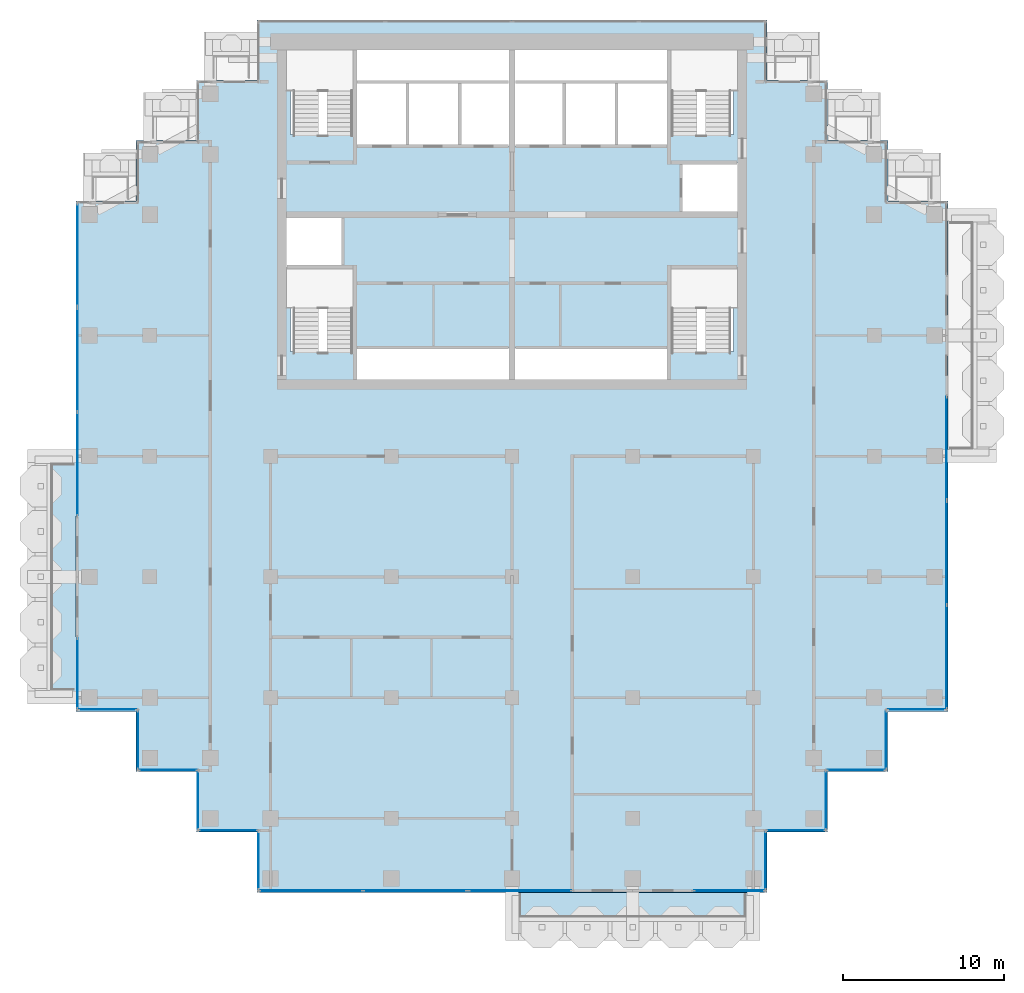
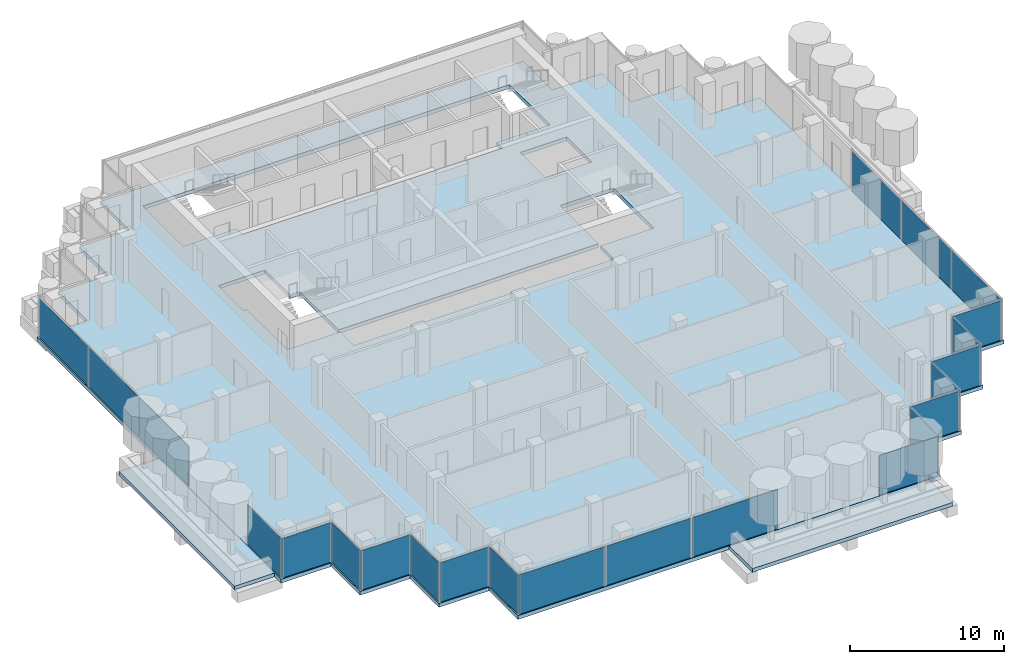
# One storey, part 8 of 18: 23 plates, 3 slabs, 20 elements without a shape of their own.
"""IFC4 building model written with IfcOpenShell, lengths in metres."""

from ifc_helpers import new_model, si_unit, direction, frame, origin, origin_2d, place, context, subcontext, project, spatial, polyline, rectangle, outline, extrude, material, layer, layer_set, type_object, element, aggregate, save


model = new_model("IFC4")

# Units and contexts
model_context = context("Model", 3, precision=1e-05, world=origin(), true_north=direction((0.0, 1.0)))
body_context = subcontext(model_context, "Body", "Model", "MODEL_VIEW")
ifc_project = project(units=[si_unit("LENGTHUNIT", "METRE"), si_unit("AREAUNIT", "SQUARE_METRE"), si_unit("VOLUMEUNIT", "CUBIC_METRE"), si_unit("PLANEANGLEUNIT", "RADIAN"), si_unit("MASSUNIT", "GRAM", prefix="KILO")], contexts=[model_context])

# Site, building, storey
site_placement = place(None, origin())
site = spatial("IfcSite", under=ifc_project, at=site_placement, CompositionType="ELEMENT")
building_placement = place(site_placement, origin())
building = spatial("IfcBuilding", under=site, at=building_placement, Name="Pilkhan Gate Tower", CompositionType="ELEMENT")
storey_placement = place(building_placement, frame((0.0, 0.0, 203.10009765625)))
storey = spatial("IfcBuildingStorey", under=building, at=storey_placement, Name="L52", CompositionType="ELEMENT", Elevation=203.10009765625)

# Slabs
ifc_material_1 = material(Name="Concrete C60/75", Category="concrete")
ifc_layer_1 = layer(ifc_material_1, 0.300048828125)
ifc_layer_set_1 = layer_set([ifc_layer_1], Name="Balcony tray slab TR300")
slab_type_1 = type_object("IfcSlabType", Name="Balcony tray slab TR300", PredefinedType="FLOOR", material=ifc_layer_set_1)
slab_1_placement = place(storey_placement, frame((0.0, 0.0, -0.300048828125)))
element("IfcSlab", 1, at=slab_1_placement, inside=storey, type_object=slab_type_1, Name="Balcony tray L52 S", PredefinedType="FLOOR", context=body_context, shape_type="SweptSolid", body=[
    extrude(outline(polyline([(90.0, 37.39990234375), (90.0, 40.39990234375), (75.0, 40.39990234375), (75.0, 37.39990234375), (90.0, 37.39990234375)])), origin(), (0.0, 0.0, 1.0), 0.300048828125),
])
slab_2_placement = place(storey_placement, frame((0.0, 0.0, -0.300048828125)))
element("IfcSlab", 2, at=slab_2_placement, inside=storey, type_object=slab_type_1, Name="Balcony tray L52 W", PredefinedType="FLOOR", context=body_context, shape_type="SweptSolid", body=[
    extrude(outline(polyline([(47.89990234375, 52.5), (47.89990234375, 67.5), (44.89990234375, 67.5), (44.89990234375, 52.5), (47.89990234375, 52.5)])), origin(), (0.0, 0.0, 1.0), 0.300048828125),
])
ifc_material_2 = material(Name="Concrete C40/50", Category="concrete")
ifc_layer_2 = layer(ifc_material_2, 0.300048828125)
ifc_layer_set_2 = layer_set([ifc_layer_2], Name="Flat plate slab FP300")
slab_type_2 = type_object("IfcSlabType", Name="Flat plate slab FP300", PredefinedType="FLOOR", material=ifc_layer_set_2)
slab_3_placement = place(storey_placement, frame((0.0, 0.0, -0.300048828125)))
element("IfcSlab", 3, at=slab_3_placement, inside=storey, type_object=slab_type_2, Name="Floor slab L52", PredefinedType="FLOOR", context=body_context, shape_type="SweptSolid", body=[
    extrude(outline(polyline([(98.35009765625, 47.89990234375), (94.60009765625, 47.89990234375), (94.60009765625, 44.14990234375), (90.85009765625, 44.14990234375), (90.85009765625, 40.39990234375), (59.14990234375, 40.39990234375), (59.14990234375, 44.14990234375), (55.39990234375, 44.14990234375), (55.39990234375, 47.89990234375), (51.64990234375, 47.89990234375), (51.64990234375, 51.64990234375), (47.89990234375, 51.64990234375), (47.89990234375, 83.35009765625), (51.64990234375, 83.35009765625), (51.64990234375, 87.10009765625), (55.39990234375, 87.10009765625), (55.39990234375, 90.85009765625), (59.14990234375, 90.85009765625), (59.14990234375, 94.60009765625), (90.85009765625, 94.60009765625), (90.85009765625, 90.85009765625), (94.60009765625, 90.85009765625), (94.60009765625, 87.10009765625), (98.35009765625, 87.10009765625), (98.35009765625, 83.35009765625), (102.10009765625, 83.35009765625), (102.10009765625, 51.64990234375), (98.35009765625, 51.64990234375), (98.35009765625, 47.89990234375)]), holes=[polyline([(75.0, 72.25), (84.75, 72.25), (84.75, 74.0), (88.75, 74.0), (88.75, 79.25), (84.75, 79.25), (84.75, 74.25), (75.0, 74.25), (65.25, 74.25), (65.25, 79.25), (64.5, 79.25), (64.5, 82.5), (61.25, 82.5), (61.0, 82.5), (61.0, 79.25), (61.25, 79.25), (61.25, 74.0), (65.25, 74.0), (65.25, 72.25), (75.0, 72.25)]), polyline([(68.5, 86.75), (71.75, 86.75), (75.0, 86.75), (78.25, 86.75), (81.5, 86.75), (84.75, 86.75), (84.75, 87.5), (88.75, 87.5), (88.75, 92.75), (84.75, 92.75), (75.0, 92.75), (65.25, 92.75), (61.25, 92.75), (61.25, 87.5), (65.25, 87.5), (65.25, 86.75), (68.5, 86.75)]), polyline([(85.5, 85.75), (85.5, 82.5), (88.75, 82.5), (89.0, 82.5), (89.0, 85.75), (88.75, 85.75), (85.5, 85.75)])]), origin(), (0.0, 0.0, 1.0), 0.300048828125),
])

# Curtain wall, plates
ifc_material_3 = material(Name="Pale anodised aluminium, clear low-iron double glazing", Category="aluminium")
curtain_wall_type = type_object("IfcCurtainWallType", Name="Office unitised curtain wall CW-O2", PredefinedType="USERDEFINED", material=ifc_material_3)
curtain_wall_1_placement = place(storey_placement, origin())
curtain_wall_1 = element("IfcCurtainWall", 4, at=curtain_wall_1_placement, inside=storey, type_object=curtain_wall_type, Name="Office unitised curtain wall CW-O2 L52 E", ObjectType="UNITISED CURTAIN WALL", PredefinedType="USERDEFINED")
ifc_material_4 = material(Name="Clear low-iron double glazing", Category="glass")
ifc_layer_3 = layer(ifc_material_4, 0.031982421875)
ifc_layer_set_3 = layer_set([ifc_layer_3], Name="Glass panel CW-O2 32")
plate_type = type_object("IfcPlateType", Name="Glass panel CW-O2 32", PredefinedType="CURTAIN_PANEL", material=ifc_layer_set_3)
plate_1_placement = place(storey_placement, frame((102.0, 55.016357421875, 0.0), z_axis=(0.0, 0.0, 1.0), x_axis=(0.0, 1.0, 0.0)))
plate_1 = element("IfcPlate", 5, at=plate_1_placement, type_object=plate_type, Name="CW-O2 panel 1", PredefinedType="CURTAIN_PANEL", context=body_context, shape_type="SweptSolid", body=[
    extrude(rectangle(XDim=6.402587890625, YDim=0.031982421875, at=origin_2d()), origin(), (0.0, 0.0, 1.0), 3.135009765625),
])
plate_2_placement = place(storey_placement, frame((102.0, 61.483642578125, 0.0), z_axis=(0.0, 0.0, 1.0), x_axis=(0.0, 1.0, 0.0)))
plate_2 = element("IfcPlate", 6, at=plate_2_placement, type_object=plate_type, Name="CW-O2 panel 2", PredefinedType="CURTAIN_PANEL", context=body_context, shape_type="SweptSolid", body=[
    extrude(rectangle(XDim=6.402587890625, YDim=0.031982421875, at=origin_2d()), origin(), (0.0, 0.0, 1.0), 3.135009765625),
])
aggregate(curtain_wall_1, [plate_1, plate_2])

# Curtain wall, plate
curtain_wall_2_placement = place(storey_placement, origin())
curtain_wall_2 = element("IfcCurtainWall", 7, at=curtain_wall_2_placement, inside=storey, type_object=curtain_wall_type, Name="Office unitised curtain wall CW-O2 L52 E", ObjectType="UNITISED CURTAIN WALL", PredefinedType="USERDEFINED")
plate_3_placement = place(storey_placement, frame((102.0, 68.0, 0.0), z_axis=(0.0, 0.0, 1.0), x_axis=(0.0, 1.0, 0.0)))
plate_3 = element("IfcPlate", 8, at=plate_3_placement, type_object=plate_type, Name="CW-O2 panel 1", PredefinedType="CURTAIN_PANEL", context=body_context, shape_type="SweptSolid", body=[
    extrude(rectangle(XDim=6.3701171875, YDim=0.031982421875, at=origin_2d()), origin(), (0.0, 0.0, 1.0), 3.135009765625),
])
aggregate(curtain_wall_2, [plate_3])

curtain_wall_3_placement = place(storey_placement, origin())
curtain_wall_3 = element("IfcCurtainWall", 9, at=curtain_wall_3_placement, inside=storey, type_object=curtain_wall_type, Name="Office unitised curtain wall CW-O2 L52 W", ObjectType="UNITISED CURTAIN WALL", PredefinedType="USERDEFINED")
plate_4_placement = place(storey_placement, frame((48.0, 54.0, 0.0), z_axis=(0.0, 0.0, 1.0), x_axis=(0.0, 1.0, 0.0)))
plate_4 = element("IfcPlate", 10, at=plate_4_placement, type_object=plate_type, Name="CW-O2 panel 1", PredefinedType="CURTAIN_PANEL", context=body_context, shape_type="SweptSolid", body=[
    extrude(rectangle(XDim=4.3701171875, YDim=0.031982421875, at=origin_2d()), origin(), (0.0, 0.0, 1.0), 3.135009765625),
])
aggregate(curtain_wall_3, [plate_4])

# Curtain wall, plates
curtain_wall_4_placement = place(storey_placement, origin())
curtain_wall_4 = element("IfcCurtainWall", 11, at=curtain_wall_4_placement, inside=storey, type_object=curtain_wall_type, Name="Office unitised curtain wall CW-O2 L52 W", ObjectType="UNITISED CURTAIN WALL", PredefinedType="USERDEFINED")
plate_5_placement = place(storey_placement, frame((48.0, 67.016357421875, 0.0), z_axis=(0.0, 0.0, 1.0), x_axis=(0.0, 1.0, 0.0)))
plate_5 = element("IfcPlate", 12, at=plate_5_placement, type_object=plate_type, Name="CW-O2 panel 1", PredefinedType="CURTAIN_PANEL", context=body_context, shape_type="SweptSolid", body=[
    extrude(rectangle(XDim=6.402587890625, YDim=0.031982421875, at=origin_2d()), origin(), (0.0, 0.0, 1.0), 3.135009765625),
])
plate_6_placement = place(storey_placement, frame((48.0, 73.483642578125, 0.0), z_axis=(0.0, 0.0, 1.0), x_axis=(0.0, 1.0, 0.0)))
plate_6 = element("IfcPlate", 13, at=plate_6_placement, type_object=plate_type, Name="CW-O2 panel 2", PredefinedType="CURTAIN_PANEL", context=body_context, shape_type="SweptSolid", body=[
    extrude(rectangle(XDim=6.402587890625, YDim=0.031982421875, at=origin_2d()), origin(), (0.0, 0.0, 1.0), 3.135009765625),
])
aggregate(curtain_wall_4, [plate_5, plate_6])

# Curtain wall, plate
curtain_wall_5_placement = place(storey_placement, origin())
curtain_wall_5 = element("IfcCurtainWall", 14, at=curtain_wall_5_placement, inside=storey, type_object=curtain_wall_type, Name="Office unitised curtain wall CW-O2 L52 W", ObjectType="UNITISED CURTAIN WALL", PredefinedType="USERDEFINED")
plate_7_placement = place(storey_placement, frame((48.0, 80.0, 0.0), z_axis=(0.0, 0.0, 1.0), x_axis=(0.0, 1.0, 0.0)))
plate_7 = element("IfcPlate", 15, at=plate_7_placement, type_object=plate_type, Name="CW-O2 panel 1", PredefinedType="CURTAIN_PANEL", context=body_context, shape_type="SweptSolid", body=[
    extrude(rectangle(XDim=6.3701171875, YDim=0.031982421875, at=origin_2d()), origin(), (0.0, 0.0, 1.0), 3.135009765625),
])
aggregate(curtain_wall_5, [plate_7])

curtain_wall_6_placement = place(storey_placement, origin())
curtain_wall_6 = element("IfcCurtainWall", 16, at=curtain_wall_6_placement, inside=storey, type_object=curtain_wall_type, Name="Office unitised curtain wall CW-O2 L52 S", ObjectType="UNITISED CURTAIN WALL", PredefinedType="USERDEFINED")
plate_8_placement = place(storey_placement, frame((49.875, 51.75, 0.0), z_axis=(0.0, 0.0, 1.0), x_axis=(1.0, 0.0, 0.0)))
plate_8 = element("IfcPlate", 17, at=plate_8_placement, type_object=plate_type, Name="CW-O2 panel 1", PredefinedType="CURTAIN_PANEL", context=body_context, shape_type="SweptSolid", body=[
    extrude(rectangle(XDim=3.6201171875, YDim=0.031982421875, at=origin_2d()), origin(), (0.0, 0.0, 1.0), 3.135009765625),
])
aggregate(curtain_wall_6, [plate_8])

curtain_wall_7_placement = place(storey_placement, origin())
curtain_wall_7 = element("IfcCurtainWall", 18, at=curtain_wall_7_placement, inside=storey, type_object=curtain_wall_type, Name="Office unitised curtain wall CW-O2 L52 W", ObjectType="UNITISED CURTAIN WALL", PredefinedType="USERDEFINED")
plate_9_placement = place(storey_placement, frame((51.75, 49.875, 0.0), z_axis=(0.0, 0.0, 1.0), x_axis=(0.0, 1.0, 0.0)))
plate_9 = element("IfcPlate", 19, at=plate_9_placement, type_object=plate_type, Name="CW-O2 panel 1", PredefinedType="CURTAIN_PANEL", context=body_context, shape_type="SweptSolid", body=[
    extrude(rectangle(XDim=3.6201171875, YDim=0.031982421875, at=origin_2d()), origin(), (0.0, 0.0, 1.0), 3.135009765625),
])
aggregate(curtain_wall_7, [plate_9])

curtain_wall_8_placement = place(storey_placement, origin())
curtain_wall_8 = element("IfcCurtainWall", 20, at=curtain_wall_8_placement, inside=storey, type_object=curtain_wall_type, Name="Office unitised curtain wall CW-O2 L52 S", ObjectType="UNITISED CURTAIN WALL", PredefinedType="USERDEFINED")
plate_10_placement = place(storey_placement, frame((53.625, 48.0, 0.0), z_axis=(0.0, 0.0, 1.0), x_axis=(1.0, 0.0, 0.0)))
plate_10 = element("IfcPlate", 21, at=plate_10_placement, type_object=plate_type, Name="CW-O2 panel 1", PredefinedType="CURTAIN_PANEL", context=body_context, shape_type="SweptSolid", body=[
    extrude(rectangle(XDim=3.6201171875, YDim=0.031982421875, at=origin_2d()), origin(), (0.0, 0.0, 1.0), 3.135009765625),
])
aggregate(curtain_wall_8, [plate_10])

curtain_wall_9_placement = place(storey_placement, origin())
curtain_wall_9 = element("IfcCurtainWall", 22, at=curtain_wall_9_placement, inside=storey, type_object=curtain_wall_type, Name="Office unitised curtain wall CW-O2 L52 W", ObjectType="UNITISED CURTAIN WALL", PredefinedType="USERDEFINED")
plate_11_placement = place(storey_placement, frame((55.5, 46.125, 0.0), z_axis=(0.0, 0.0, 1.0), x_axis=(0.0, 1.0, 0.0)))
plate_11 = element("IfcPlate", 23, at=plate_11_placement, type_object=plate_type, Name="CW-O2 panel 1", PredefinedType="CURTAIN_PANEL", context=body_context, shape_type="SweptSolid", body=[
    extrude(rectangle(XDim=3.6201171875, YDim=0.031982421875, at=origin_2d()), origin(), (0.0, 0.0, 1.0), 3.135009765625),
])
aggregate(curtain_wall_9, [plate_11])

curtain_wall_10_placement = place(storey_placement, origin())
curtain_wall_10 = element("IfcCurtainWall", 24, at=curtain_wall_10_placement, inside=storey, type_object=curtain_wall_type, Name="Office unitised curtain wall CW-O2 L52 S", ObjectType="UNITISED CURTAIN WALL", PredefinedType="USERDEFINED")
plate_12_placement = place(storey_placement, frame((57.375, 44.25, 0.0), z_axis=(0.0, 0.0, 1.0), x_axis=(1.0, 0.0, 0.0)))
plate_12 = element("IfcPlate", 25, at=plate_12_placement, type_object=plate_type, Name="CW-O2 panel 1", PredefinedType="CURTAIN_PANEL", context=body_context, shape_type="SweptSolid", body=[
    extrude(rectangle(XDim=3.6201171875, YDim=0.031982421875, at=origin_2d()), origin(), (0.0, 0.0, 1.0), 3.135009765625),
])
aggregate(curtain_wall_10, [plate_12])

curtain_wall_11_placement = place(storey_placement, origin())
curtain_wall_11 = element("IfcCurtainWall", 26, at=curtain_wall_11_placement, inside=storey, type_object=curtain_wall_type, Name="Office unitised curtain wall CW-O2 L52 W", ObjectType="UNITISED CURTAIN WALL", PredefinedType="USERDEFINED")
plate_13_placement = place(storey_placement, frame((59.25, 42.375, 0.0), z_axis=(0.0, 0.0, 1.0), x_axis=(0.0, 1.0, 0.0)))
plate_13 = element("IfcPlate", 27, at=plate_13_placement, type_object=plate_type, Name="CW-O2 panel 1", PredefinedType="CURTAIN_PANEL", context=body_context, shape_type="SweptSolid", body=[
    extrude(rectangle(XDim=3.6201171875, YDim=0.031982421875, at=origin_2d()), origin(), (0.0, 0.0, 1.0), 3.135009765625),
])
aggregate(curtain_wall_11, [plate_13])

# Curtain wall, plates
curtain_wall_12_placement = place(storey_placement, origin())
curtain_wall_12 = element("IfcCurtainWall", 28, at=curtain_wall_12_placement, inside=storey, type_object=curtain_wall_type, Name="Office unitised curtain wall CW-O2 L52 S", ObjectType="UNITISED CURTAIN WALL", PredefinedType="USERDEFINED")
plate_14_placement = place(storey_placement, frame((62.516357421875, 40.5, 0.0), z_axis=(0.0, 0.0, 1.0), x_axis=(1.0, 0.0, 0.0)))
plate_14 = element("IfcPlate", 29, at=plate_14_placement, type_object=plate_type, Name="CW-O2 panel 1", PredefinedType="CURTAIN_PANEL", context=body_context, shape_type="SweptSolid", body=[
    extrude(rectangle(XDim=6.402587890625, YDim=0.031982421875, at=origin_2d()), origin(), (0.0, 0.0, 1.0), 3.135009765625),
])
plate_15_placement = place(storey_placement, frame((68.983642578125, 40.5, 0.0), z_axis=(0.0, 0.0, 1.0), x_axis=(1.0, 0.0, 0.0)))
plate_15 = element("IfcPlate", 30, at=plate_15_placement, type_object=plate_type, Name="CW-O2 panel 2", PredefinedType="CURTAIN_PANEL", context=body_context, shape_type="SweptSolid", body=[
    extrude(rectangle(XDim=6.402587890625, YDim=0.031982421875, at=origin_2d()), origin(), (0.0, 0.0, 1.0), 3.135009765625),
])
aggregate(curtain_wall_12, [plate_14, plate_15])

# Curtain wall, plate
curtain_wall_13_placement = place(storey_placement, origin())
curtain_wall_13 = element("IfcCurtainWall", 31, at=curtain_wall_13_placement, inside=storey, type_object=curtain_wall_type, Name="Office unitised curtain wall CW-O2 L52 S", ObjectType="UNITISED CURTAIN WALL", PredefinedType="USERDEFINED")
plate_16_placement = place(storey_placement, frame((75.5, 40.5, 0.0), z_axis=(0.0, 0.0, 1.0), x_axis=(1.0, 0.0, 0.0)))
plate_16 = element("IfcPlate", 32, at=plate_16_placement, type_object=plate_type, Name="CW-O2 panel 1", PredefinedType="CURTAIN_PANEL", context=body_context, shape_type="SweptSolid", body=[
    extrude(rectangle(XDim=6.3701171875, YDim=0.031982421875, at=origin_2d()), origin(), (0.0, 0.0, 1.0), 3.135009765625),
])
aggregate(curtain_wall_13, [plate_16])

curtain_wall_14_placement = place(storey_placement, origin())
curtain_wall_14 = element("IfcCurtainWall", 33, at=curtain_wall_14_placement, inside=storey, type_object=curtain_wall_type, Name="Office unitised curtain wall CW-O2 L52 S", ObjectType="UNITISED CURTAIN WALL", PredefinedType="USERDEFINED")
plate_17_placement = place(storey_placement, frame((88.5, 40.5, 0.0), z_axis=(0.0, 0.0, 1.0), x_axis=(1.0, 0.0, 0.0)))
plate_17 = element("IfcPlate", 34, at=plate_17_placement, type_object=plate_type, Name="CW-O2 panel 1", PredefinedType="CURTAIN_PANEL", context=body_context, shape_type="SweptSolid", body=[
    extrude(rectangle(XDim=4.3701171875, YDim=0.031982421875, at=origin_2d()), origin(), (0.0, 0.0, 1.0), 3.135009765625),
])
aggregate(curtain_wall_14, [plate_17])

curtain_wall_15_placement = place(storey_placement, origin())
curtain_wall_15 = element("IfcCurtainWall", 35, at=curtain_wall_15_placement, inside=storey, type_object=curtain_wall_type, Name="Office unitised curtain wall CW-O2 L52 E", ObjectType="UNITISED CURTAIN WALL", PredefinedType="USERDEFINED")
plate_18_placement = place(storey_placement, frame((90.75, 42.375, 0.0), z_axis=(0.0, 0.0, 1.0), x_axis=(0.0, 1.0, 0.0)))
plate_18 = element("IfcPlate", 36, at=plate_18_placement, type_object=plate_type, Name="CW-O2 panel 1", PredefinedType="CURTAIN_PANEL", context=body_context, shape_type="SweptSolid", body=[
    extrude(rectangle(XDim=3.6201171875, YDim=0.031982421875, at=origin_2d()), origin(), (0.0, 0.0, 1.0), 3.135009765625),
])
aggregate(curtain_wall_15, [plate_18])

curtain_wall_16_placement = place(storey_placement, origin())
curtain_wall_16 = element("IfcCurtainWall", 37, at=curtain_wall_16_placement, inside=storey, type_object=curtain_wall_type, Name="Office unitised curtain wall CW-O2 L52 S", ObjectType="UNITISED CURTAIN WALL", PredefinedType="USERDEFINED")
plate_19_placement = place(storey_placement, frame((92.625, 44.25, 0.0), z_axis=(0.0, 0.0, 1.0), x_axis=(1.0, 0.0, 0.0)))
plate_19 = element("IfcPlate", 38, at=plate_19_placement, type_object=plate_type, Name="CW-O2 panel 1", PredefinedType="CURTAIN_PANEL", context=body_context, shape_type="SweptSolid", body=[
    extrude(rectangle(XDim=3.6201171875, YDim=0.031982421875, at=origin_2d()), origin(), (0.0, 0.0, 1.0), 3.135009765625),
])
aggregate(curtain_wall_16, [plate_19])

curtain_wall_17_placement = place(storey_placement, origin())
curtain_wall_17 = element("IfcCurtainWall", 39, at=curtain_wall_17_placement, inside=storey, type_object=curtain_wall_type, Name="Office unitised curtain wall CW-O2 L52 E", ObjectType="UNITISED CURTAIN WALL", PredefinedType="USERDEFINED")
plate_20_placement = place(storey_placement, frame((94.5, 46.125, 0.0), z_axis=(0.0, 0.0, 1.0), x_axis=(0.0, 1.0, 0.0)))
plate_20 = element("IfcPlate", 40, at=plate_20_placement, type_object=plate_type, Name="CW-O2 panel 1", PredefinedType="CURTAIN_PANEL", context=body_context, shape_type="SweptSolid", body=[
    extrude(rectangle(XDim=3.6201171875, YDim=0.031982421875, at=origin_2d()), origin(), (0.0, 0.0, 1.0), 3.135009765625),
])
aggregate(curtain_wall_17, [plate_20])

curtain_wall_18_placement = place(storey_placement, origin())
curtain_wall_18 = element("IfcCurtainWall", 41, at=curtain_wall_18_placement, inside=storey, type_object=curtain_wall_type, Name="Office unitised curtain wall CW-O2 L52 S", ObjectType="UNITISED CURTAIN WALL", PredefinedType="USERDEFINED")
plate_21_placement = place(storey_placement, frame((96.375, 48.0, 0.0), z_axis=(0.0, 0.0, 1.0), x_axis=(1.0, 0.0, 0.0)))
plate_21 = element("IfcPlate", 42, at=plate_21_placement, type_object=plate_type, Name="CW-O2 panel 1", PredefinedType="CURTAIN_PANEL", context=body_context, shape_type="SweptSolid", body=[
    extrude(rectangle(XDim=3.6201171875, YDim=0.031982421875, at=origin_2d()), origin(), (0.0, 0.0, 1.0), 3.135009765625),
])
aggregate(curtain_wall_18, [plate_21])

curtain_wall_19_placement = place(storey_placement, origin())
curtain_wall_19 = element("IfcCurtainWall", 43, at=curtain_wall_19_placement, inside=storey, type_object=curtain_wall_type, Name="Office unitised curtain wall CW-O2 L52 E", ObjectType="UNITISED CURTAIN WALL", PredefinedType="USERDEFINED")
plate_22_placement = place(storey_placement, frame((98.25, 49.875, 0.0), z_axis=(0.0, 0.0, 1.0), x_axis=(0.0, 1.0, 0.0)))
plate_22 = element("IfcPlate", 44, at=plate_22_placement, type_object=plate_type, Name="CW-O2 panel 1", PredefinedType="CURTAIN_PANEL", context=body_context, shape_type="SweptSolid", body=[
    extrude(rectangle(XDim=3.6201171875, YDim=0.031982421875, at=origin_2d()), origin(), (0.0, 0.0, 1.0), 3.135009765625),
])
aggregate(curtain_wall_19, [plate_22])

curtain_wall_20_placement = place(storey_placement, origin())
curtain_wall_20 = element("IfcCurtainWall", 45, at=curtain_wall_20_placement, inside=storey, type_object=curtain_wall_type, Name="Office unitised curtain wall CW-O2 L52 S", ObjectType="UNITISED CURTAIN WALL", PredefinedType="USERDEFINED")
plate_23_placement = place(storey_placement, frame((100.125, 51.75, 0.0), z_axis=(0.0, 0.0, 1.0), x_axis=(1.0, 0.0, 0.0)))
plate_23 = element("IfcPlate", 46, at=plate_23_placement, type_object=plate_type, Name="CW-O2 panel 1", PredefinedType="CURTAIN_PANEL", context=body_context, shape_type="SweptSolid", body=[
    extrude(rectangle(XDim=3.6201171875, YDim=0.031982421875, at=origin_2d()), origin(), (0.0, 0.0, 1.0), 3.135009765625),
])
aggregate(curtain_wall_20, [plate_23])

save(model, "model.ifc")
